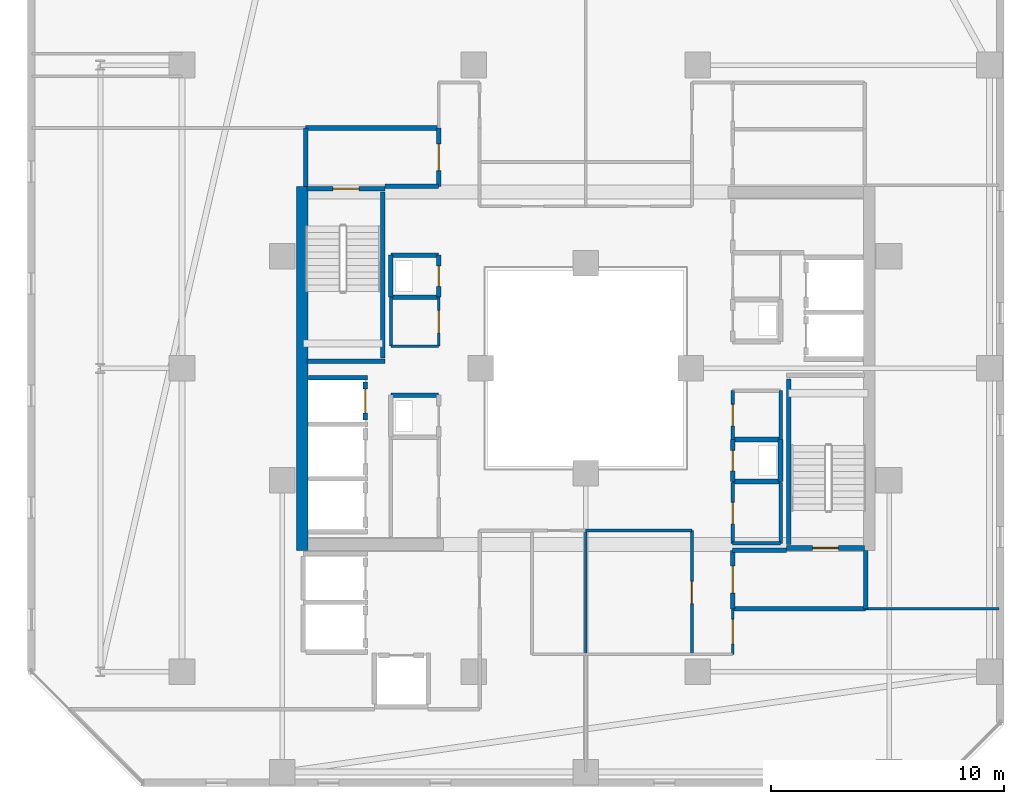
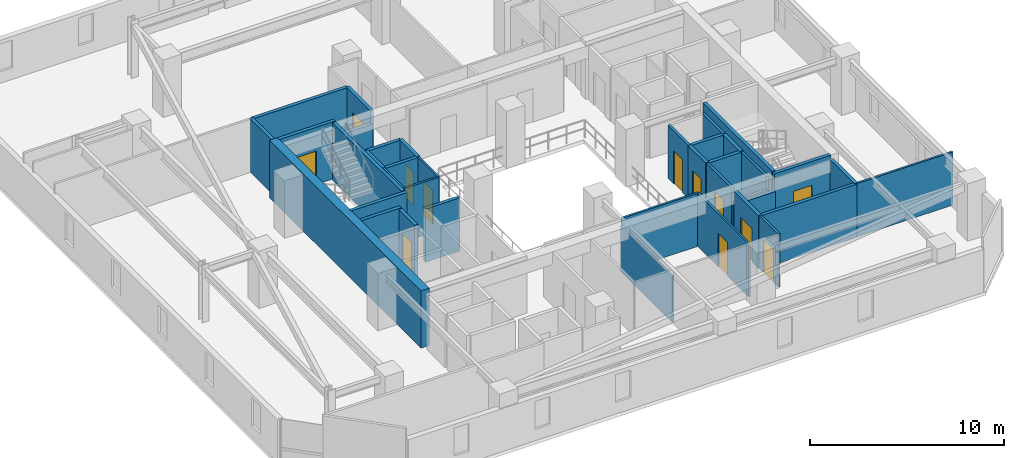
# One storey, part 24 of 33: 38 walls, 12 doors, 12 openings.
"""IFC4 building model written with IfcOpenShell, lengths in metres."""

import ifcopenshell
import ifcopenshell.guid

model = None  # the IFC model being written
_history = None  # IfcOwnerHistory: only IFC2X3 demands one
_inside = {}  # id of a spatial element -> (the spatial element, [elements in it])
_under = {}  # id of a project, library or spatial element -> (it, [spatial elements below it])
_declared = {}  # id of a project -> (the project, [libraries it declares])
_typed = {}  # id of a type object -> (the type object, [elements of that type])
_made_of = {}  # id of a material, layer set ... -> (it, [elements and type objects made of it])


def new_model(schema):
    """Start an empty IFC model of exactly this schema.

    Asked for "IFC4X3", IfcOpenShell would pick the latest addendum, in which some entities
    have other attributes; the version numbers below select the first issue.
    IFC2X3 requires an IfcOwnerHistory on every rooted entity: one is made here for all.
    """
    global model, _history
    if schema == "IFC4X3":
        model = ifcopenshell.file(schema_version=(4, 3, 0, 0))
    else:
        model = ifcopenshell.file(schema=schema)
    _inside.clear()
    _under.clear()
    _declared.clear()
    _typed.clear()
    _made_of.clear()
    _history = None
    if model.schema == "IFC2X3":
        org = make("IfcOrganization", Name="unknown")
        user = make(
            "IfcPersonAndOrganization",
            ThePerson=make("IfcPerson", FamilyName="unknown"),
            TheOrganization=org,
        )
        app = make(
            "IfcApplication",
            ApplicationDeveloper=org,
            Version="unknown",
            ApplicationFullName="unknown",
            ApplicationIdentifier="unknown",
        )
        _history = make(
            "IfcOwnerHistory",
            OwningUser=user,
            OwningApplication=app,
            ChangeAction="ADDED",
            CreationDate=0,
        )
    return model


def make(cls, **values):
    """One entity of the class cls with the attributes given. An attribute that is None is left unset."""
    return model.create_entity(
        cls, **{name: value for name, value in values.items() if value is not None}
    )


def rooted(cls, **values):
    """An entity with a GlobalId (a new one), such as an element, a storey or a relation."""
    return make(cls, GlobalId=ifcopenshell.guid.new(), OwnerHistory=_history, **values)


def si_unit(unit_type, name, prefix=None):
    """IfcSIUnit, for example si_unit("LENGTHUNIT", "METRE", prefix="MILLI")."""
    return make("IfcSIUnit", UnitType=unit_type, Prefix=prefix, Name=name)


def assignment(units):
    """IfcUnitAssignment: the units of a project."""
    return None if units is None else make("IfcUnitAssignment", Units=units)


def point(xyz):
    """IfcCartesianPoint."""
    return None if xyz is None else make("IfcCartesianPoint", Coordinates=xyz)


def direction(xyz):
    """IfcDirection."""
    return None if xyz is None else make("IfcDirection", DirectionRatios=xyz)


def frame(location, z_axis=None, x_axis=None):
    """IfcAxis2Placement3D, a coordinate frame: its origin and axes. An axis left out is left unset."""
    return make(
        "IfcAxis2Placement3D",
        Location=point(location),
        Axis=direction(z_axis),
        RefDirection=direction(x_axis),
    )


def frame_2d(location, x_axis=None):
    """IfcAxis2Placement2D, a coordinate frame in the plane: its origin and x axis."""
    return make(
        "IfcAxis2Placement2D", Location=point(location), RefDirection=direction(x_axis)
    )


def origin():
    """The frame at (0, 0, 0) with its axes left unset."""
    return frame((0.0, 0.0, 0.0))


def place(relative_to, where):
    """IfcLocalPlacement: puts the frame where relative to a parent placement (None: the world)."""
    return make(
        "IfcLocalPlacement", PlacementRelTo=relative_to, RelativePlacement=where
    )


def context(
    kind, dimensions, precision=None, world=None, true_north=None, identifier=None
):
    """IfcGeometricRepresentationContext, for example the 3D "Model" context."""
    return make(
        "IfcGeometricRepresentationContext",
        ContextIdentifier=identifier,
        ContextType=kind,
        CoordinateSpaceDimension=dimensions,
        Precision=precision,
        WorldCoordinateSystem=world,
        TrueNorth=true_north,
    )


def subcontext(parent, identifier, kind, view, scale=None):
    """IfcGeometricRepresentationSubContext, for example "Body" below "Model"."""
    return make(
        "IfcGeometricRepresentationSubContext",
        ContextIdentifier=identifier,
        ContextType=kind,
        ParentContext=parent,
        TargetScale=scale,
        TargetView=view,
    )


def project(units=None, contexts=None):
    """IfcProject with its units and contexts."""
    return rooted(
        "IfcProject",
        Name="project",
        RepresentationContexts=contexts,
        UnitsInContext=assignment(units),
    )


def spatial(cls, under=None, at=None, **own):
    """A site, building, storey or space (cls), placed at a placement, below another one or the project."""
    s = rooted(cls, ObjectPlacement=at, **own)
    if under is not None:
        _under.setdefault(under.id(), (under, []))[1].append(s)
    return s


def profile(cls, at=None, kind="AREA", **sizes):
    """A parametric profile (cls). Its sizes go by their IFC names, for example OverallWidth=200.0."""
    return make(cls, ProfileType=kind, Position=at, **sizes)


def rectangle(**sizes):
    """IfcRectangleProfileDef."""
    return profile("IfcRectangleProfileDef", **sizes)


def extrude(swept, where, along, depth):
    """IfcExtrudedAreaSolid: the profile swept, set in the frame where, extruded along a direction by depth."""
    return make(
        "IfcExtrudedAreaSolid",
        SweptArea=swept,
        Position=where,
        ExtrudedDirection=direction(along),
        Depth=depth,
    )


def shape(context_of_items, identifier, shape_type, items):
    """IfcShapeRepresentation: the items that make up one representation, for example the "Body"."""
    return make(
        "IfcShapeRepresentation",
        ContextOfItems=context_of_items,
        RepresentationIdentifier=identifier,
        RepresentationType=shape_type,
        Items=items,
    )


def material(Name=None, Category=None):
    """IfcMaterial."""
    return make("IfcMaterial", Name=Name, Category=Category)


def layer(
    of_material, thickness, ventilated=None, Name=None, Category=None, Priority=None
):
    """IfcMaterialLayer: one layer of a wall or slab, of a material (None: an air gap)."""
    return make(
        "IfcMaterialLayer",
        Material=of_material,
        LayerThickness=thickness,
        IsVentilated=ventilated,
        Name=Name,
        Category=Category,
        Priority=Priority,
    )


def layer_set(layers, Name=None):
    """IfcMaterialLayerSet."""
    return make("IfcMaterialLayerSet", MaterialLayers=layers, LayerSetName=Name)


def made_of(thing, what):
    """Note that an element or type object is made of a material, layer set ...; save() writes the relation."""
    if what is not None:
        _made_of.setdefault(what.id(), (what, []))[1].append(thing)
    return thing


def type_object(cls, material=None, **own):
    """A type object (cls), such as IfcWallType, which elements share."""
    return made_of(rooted(cls, **own), material)


def element(
    cls,
    number,
    at=None,
    inside=None,
    cuts=None,
    type_object=None,
    material=None,
    context=None,
    identifier="Body",
    shape_type=None,
    held_by="IfcProductDefinitionShape",
    body=None,
    shapes=None,
    **own,
):
    """One element of the class cls, such as IfcWall. Its Tag is "e" and its number.

    at: its placement. inside: the storey or other place that contains it. cuts: it is an
    opening in that element (IfcRelVoidsElement). A single representation is given by context,
    identifier, shape_type and body (its items); several are given by shapes. held_by: the class
    of the entity that holds the representations. save() writes the other relations.
    """
    e = rooted(cls, Tag="e%d" % number, ObjectPlacement=at, **own)
    if body is not None:
        shapes = [shape(context, identifier, shape_type, body)]
    if shapes is not None:
        e.Representation = make(held_by, Representations=shapes)
    if inside is not None:
        _inside.setdefault(inside.id(), (inside, []))[1].append(e)
    if cuts is not None:
        rooted(
            "IfcRelVoidsElement", RelatingBuildingElement=cuts, RelatedOpeningElement=e
        )
    if type_object is not None:
        _typed.setdefault(type_object.id(), (type_object, []))[1].append(e)
    return made_of(e, material)


def fill(opening, filler):
    """IfcRelFillsElement: the door or window that sits in an opening."""
    return rooted(
        "IfcRelFillsElement",
        RelatingOpeningElement=opening,
        RelatedBuildingElement=filler,
    )


def aggregate(whole, parts):
    """IfcRelAggregates: a whole, such as a stair, and the parts it consists of."""
    return rooted("IfcRelAggregates", RelatingObject=whole, RelatedObjects=parts)


def save(model, path):
    """Write the relations noted so far, then the file.

    IfcRelAggregates (storeys below a building ...), IfcRelContainedInSpatialStructure (elements
    in a storey), IfcRelDefinesByType, IfcRelAssociatesMaterial and IfcRelDeclares: one each for
    every whole, place, type object, material and project.
    """
    for whole, parts in _under.values():
        aggregate(whole, parts)
    for where, things in _inside.values():
        rooted(
            "IfcRelContainedInSpatialStructure",
            RelatedElements=things,
            RelatingStructure=where,
        )
    for kind, things in _typed.values():
        rooted("IfcRelDefinesByType", RelatedObjects=things, RelatingType=kind)
    for what, things in _made_of.values():
        rooted("IfcRelAssociatesMaterial", RelatedObjects=things, RelatingMaterial=what)
    for by, libraries in _declared.values():
        rooted("IfcRelDeclares", RelatingContext=by, RelatedDefinitions=libraries)
    model.write(path)


model = new_model("IFC4")

# Units and contexts
model_context = context("Model", 3, precision=1e-05, world=origin(), true_north=direction((0.0, 1.0)))
body_context = subcontext(model_context, "Body", "Model", "MODEL_VIEW")
ifc_project = project(units=[si_unit("LENGTHUNIT", "METRE"), si_unit("AREAUNIT", "SQUARE_METRE"), si_unit("VOLUMEUNIT", "CUBIC_METRE"), si_unit("PLANEANGLEUNIT", "RADIAN"), si_unit("MASSUNIT", "GRAM", prefix="KILO")], contexts=[model_context])

# Site, building, storey
site_placement = place(None, origin())
site = spatial("IfcSite", under=ifc_project, at=site_placement, CompositionType="ELEMENT")
building_placement = place(site_placement, origin())
building = spatial("IfcBuilding", under=site, at=building_placement, Name="Thornwick Lancets Civic Towers", CompositionType="ELEMENT")
storey_placement = place(building_placement, frame((0.0, 0.0, 192.89990234375)))
storey = spatial("IfcBuildingStorey", under=building, at=storey_placement, Name="L51", CompositionType="ELEMENT", Elevation=192.89990234375)

# Wall, opening, door
ifc_material_1 = material(Name="Concrete blockwork C40/50", Category="masonry")
ifc_layer_1 = layer(ifc_material_1, 0.199951171875, Name="Concrete blockwork C40/50")
ifc_layer_set_1 = layer_set([ifc_layer_1], Name="Concrete blockwork C40/50")
wall_type_1 = type_object("IfcWallType", Name="WALL_COMP_200", PredefinedType="STANDARD", material=ifc_layer_set_1)
wall_1_placement = place(storey_placement, frame((79.050048828125, 24.780029296875, 0.0), z_axis=(0.0, 0.0, 1.0), x_axis=(0.0, 1.0, 0.0)))
wall_1 = element("IfcWall", 1, at=wall_1_placement, inside=storey, type_object=wall_type_1, Name="L51 Hoistway Front Wall FL-B2", PredefinedType="STANDARD", context=body_context, shape_type="SweptSolid", body=[
    extrude(rectangle(XDim=1.639892578125, YDim=0.199951171875, at=frame_2d((0.81982421875, 0.0))), origin(), (0.0, 0.0, 1.0), 3.340087890625),
])
opening_1_placement = place(wall_1_placement, frame((0.31005859375, 0.0, 0.0)))
opening_1 = element("IfcOpeningElement", 2, at=opening_1_placement, cuts=wall_1, Name="Opening LD-FL-B2", PredefinedType="OPENING", context=body_context, shape_type="SweptSolid", body=[
    extrude(rectangle(XDim=1.02001953125, YDim=2.06005859375, at=frame_2d((0.510009765625, 1.030029296875))), frame((0.0, 0.10986328125, 0.0), z_axis=(0.0, -1.0, 0.0), x_axis=(1.0, 0.0, 0.0)), (0.0, 0.0, 1.0), 0.219970703125),
])
ifc_material_2 = material(Name="Brushed bronze stainless steel", Category="steel")
door_type_1 = type_object("IfcDoorType", Name="DOOR_LIFT_SLIDE", OperationType="SLIDING_TO_LEFT", PredefinedType="DOOR", material=ifc_material_2)
door_1_placement = place(opening_1_placement, origin())
door_1 = element("IfcDoor", 3, at=door_1_placement, inside=storey, type_object=door_type_1, Name="L51 Sliding Lift Landing Door LD-FL-B2", OperationType="SLIDING_TO_LEFT", OverallHeight=2.06005859375, OverallWidth=1.02001953125, PredefinedType="DOOR", context=body_context, shape_type="SweptSolid", body=[
    extrude(rectangle(XDim=1.02001953125, YDim=2.06005859375, at=frame_2d((0.510009765625, 1.030029296875))), frame((0.0, 0.02490234375, 0.0), z_axis=(0.0, -1.0, 0.0), x_axis=(1.0, 0.0, 0.0)), (0.0, 0.0, 1.0), 0.050048828125),
])
fill(opening_1, door_1)

# Walls
wall_2_placement = place(storey_placement, frame((76.612060546875, 26.60009765625, 0.0), z_axis=(0.0, 0.0, 1.0), x_axis=(1.0, 0.0, 0.0)))
element("IfcWall", 4, at=wall_2_placement, inside=storey, type_object=wall_type_1, Name="L51 Hoistway Shaft Wall FL-B2 N", PredefinedType="STANDARD", context=body_context, shape_type="SweptSolid", body=[
    extrude(rectangle(XDim=2.535888671875, YDim=0.199951171875, at=frame_2d((1.26806640625, 0.0))), origin(), (0.0, 0.0, 1.0), 3.340087890625),
])
wall_3_placement = place(storey_placement, frame((94.800048828125, 16.699951171875, 0.0), z_axis=(0.0, 0.0, 1.0), x_axis=(1.0, 0.0, 0.0)))
element("IfcWall", 5, at=wall_3_placement, inside=storey, type_object=wall_type_1, Name="L51 Partition L51-B-FFLOB1 E1", PredefinedType="STANDARD", context=body_context, shape_type="SweptSolid", body=[
    extrude(rectangle(XDim=5.699951171875, YDim=0.199951171875, at=frame_2d((2.85009765625, 0.0))), origin(), (0.0, 0.0, 1.0), 3.340087890625),
])
wall_4_placement = place(storey_placement, frame((100.5, 16.699951171875, 0.0), z_axis=(0.0, 0.0, 1.0), x_axis=(0.0, 1.0, 0.0)))
element("IfcWall", 6, at=wall_4_placement, inside=storey, type_object=wall_type_1, Name="L51 Partition L51-B-FFLOB1 E2", PredefinedType="STANDARD", context=body_context, shape_type="SweptSolid", body=[
    extrude(rectangle(XDim=2.5, YDim=0.199951171875, at=frame_2d((1.25, 0.0))), origin(), (0.0, 0.0, 1.0), 3.340087890625),
])
wall_5_placement = place(storey_placement, frame((97.10009765625, 19.199951171875, 0.0), z_axis=(0.0, 0.0, 1.0), x_axis=(-1.0, 0.0, 0.0)))
element("IfcWall", 7, at=wall_5_placement, inside=storey, type_object=wall_type_1, Name="L51 Partition L51-B-FFLOB1 E3", PredefinedType="STANDARD", context=body_context, shape_type="SweptSolid", body=[
    extrude(rectangle(XDim=2.300048828125, YDim=0.199951171875, at=frame_2d((1.14990234375, 0.0))), origin(), (0.0, 0.0, 1.0), 2.545166015625),
])

# Wall, opening, door
wall_6_placement = place(storey_placement, frame((94.800048828125, 19.199951171875, 0.0), z_axis=(0.0, 0.0, 1.0), x_axis=(0.0, -1.0, 0.0)))
wall_6 = element("IfcWall", 8, at=wall_6_placement, inside=storey, type_object=wall_type_1, Name="L51 Partition L51-B-FFLOB1 E4", PredefinedType="STANDARD", context=body_context, shape_type="SweptSolid", body=[
    extrude(rectangle(XDim=2.5, YDim=0.199951171875, at=frame_2d((1.25, 0.0))), origin(), (0.0, 0.0, 1.0), 3.340087890625),
])
opening_2_placement = place(wall_6_placement, frame((0.675048828125, 0.0, 0.0)))
opening_2 = element("IfcOpeningElement", 9, at=opening_2_placement, cuts=wall_6, Name="Opening D-L51-2263", PredefinedType="OPENING", context=body_context, shape_type="SweptSolid", body=[
    extrude(rectangle(XDim=1.14990234375, YDim=2.10009765625, at=frame_2d((0.574951171875, 1.050048828125))), frame((0.0, 0.10986328125, 0.0), z_axis=(0.0, -1.0, 0.0), x_axis=(1.0, 0.0, 0.0)), (0.0, 0.0, 1.0), 0.219970703125),
])
ifc_material_3 = material(Name="Glazed fire-resisting steel", Category="steel")
door_type_2 = type_object("IfcDoorType", Name="DOOR_LOBBY_FD60", OperationType="NOTDEFINED", PredefinedType="DOOR", material=ifc_material_3)
door_2_placement = place(opening_2_placement, origin())
door_2 = element("IfcDoor", 10, at=door_2_placement, inside=storey, type_object=door_type_2, Name="L51 East Firefighting Lobby 1 Door", OperationType="SINGLE_SWING_RIGHT", OverallHeight=2.10009765625, OverallWidth=1.14990234375, PredefinedType="DOOR", context=body_context, shape_type="SweptSolid", body=[
    extrude(rectangle(XDim=1.14990234375, YDim=2.10009765625, at=frame_2d((0.574951171875, 1.050048828125))), frame((0.0, 0.02490234375, 0.0), z_axis=(0.0, -1.0, 0.0), x_axis=(1.0, 0.0, 0.0)), (0.0, 0.0, 1.0), 0.050048828125),
])
fill(opening_2, door_2)

# Wall
wall_7_placement = place(storey_placement, frame((79.89990234375, 34.800048828125, 0.0), z_axis=(0.0, 0.0, 1.0), x_axis=(1.0, 0.0, 0.0)))
element("IfcWall", 11, at=wall_7_placement, inside=storey, type_object=wall_type_1, Name="L51 Partition L51-B-FFLOB2 E1", PredefinedType="STANDARD", context=body_context, shape_type="SweptSolid", body=[
    extrude(rectangle(XDim=2.300048828125, YDim=0.199951171875, at=frame_2d((1.14990234375, 0.0))), origin(), (0.0, 0.0, 1.0), 2.545166015625),
])

# Wall, opening, door
wall_8_placement = place(storey_placement, frame((82.199951171875, 34.800048828125, 0.0), z_axis=(0.0, 0.0, 1.0), x_axis=(0.0, 1.0, 0.0)))
wall_8 = element("IfcWall", 12, at=wall_8_placement, inside=storey, type_object=wall_type_1, Name="L51 Partition L51-B-FFLOB2 E2", PredefinedType="STANDARD", context=body_context, shape_type="SweptSolid", body=[
    extrude(rectangle(XDim=2.5, YDim=0.199951171875, at=frame_2d((1.25, 0.0))), origin(), (0.0, 0.0, 1.0), 3.340087890625),
])
opening_3_placement = place(wall_8_placement, frame((0.675048828125, 0.0, 0.0)))
opening_3 = element("IfcOpeningElement", 13, at=opening_3_placement, cuts=wall_8, Name="Opening D-L51-2264", PredefinedType="OPENING", context=body_context, shape_type="SweptSolid", body=[
    extrude(rectangle(XDim=1.14990234375, YDim=2.10009765625, at=frame_2d((0.574951171875, 1.050048828125))), frame((0.0, 0.10986328125, 0.0), z_axis=(0.0, -1.0, 0.0), x_axis=(1.0, 0.0, 0.0)), (0.0, 0.0, 1.0), 0.219970703125),
])
door_3_placement = place(opening_3_placement, origin())
door_3 = element("IfcDoor", 14, at=door_3_placement, inside=storey, type_object=door_type_2, Name="L51 West Firefighting Lobby 2 Door", OperationType="SINGLE_SWING_LEFT", OverallHeight=2.10009765625, OverallWidth=1.14990234375, PredefinedType="DOOR", context=body_context, shape_type="SweptSolid", body=[
    extrude(rectangle(XDim=1.14990234375, YDim=2.10009765625, at=frame_2d((0.574951171875, 1.050048828125))), frame((0.0, 0.02490234375, 0.0), z_axis=(0.0, -1.0, 0.0), x_axis=(1.0, 0.0, 0.0)), (0.0, 0.0, 1.0), 0.050048828125),
])
fill(opening_3, door_3)

# Walls
wall_9_placement = place(storey_placement, frame((82.199951171875, 37.300048828125, 0.0), z_axis=(0.0, 0.0, 1.0), x_axis=(-1.0, 0.0, 0.0)))
element("IfcWall", 15, at=wall_9_placement, inside=storey, type_object=wall_type_1, Name="L51 Partition L51-B-FFLOB2 E3", PredefinedType="STANDARD", context=body_context, shape_type="SweptSolid", body=[
    extrude(rectangle(XDim=5.699951171875, YDim=0.199951171875, at=frame_2d((2.85009765625, 0.0))), origin(), (0.0, 0.0, 1.0), 3.340087890625),
])
wall_10_placement = place(storey_placement, frame((76.5, 37.300048828125, 0.0), z_axis=(0.0, 0.0, 1.0), x_axis=(0.0, -1.0, 0.0)))
element("IfcWall", 16, at=wall_10_placement, inside=storey, type_object=wall_type_1, Name="L51 Partition L51-B-FFLOB2 E4", PredefinedType="STANDARD", context=body_context, shape_type="SweptSolid", body=[
    extrude(rectangle(XDim=2.5, YDim=0.199951171875, at=frame_2d((1.25, 0.0))), origin(), (0.0, 0.0, 1.0), 3.340087890625),
])
wall_11_placement = place(storey_placement, frame((94.800048828125, 22.14990234375, 0.0), z_axis=(0.0, 0.0, 1.0), x_axis=(1.0, 0.0, 0.0)))
element("IfcWall", 17, at=wall_11_placement, inside=storey, type_object=wall_type_1, Name="L51 Partition L51-B-RISER1 E1", PredefinedType="STANDARD", context=body_context, shape_type="SweptSolid", body=[
    extrude(rectangle(XDim=2.050048828125, YDim=0.199951171875, at=frame_2d((1.02490234375, 0.0))), origin(), (0.0, 0.0, 1.0), 3.340087890625),
])
wall_12_placement = place(storey_placement, frame((96.85009765625, 22.14990234375, 0.0), z_axis=(0.0, 0.0, 1.0), x_axis=(0.0, 1.0, 0.0)))
element("IfcWall", 18, at=wall_12_placement, inside=storey, type_object=wall_type_1, Name="L51 Partition L51-B-RISER1 E2", PredefinedType="STANDARD", context=body_context, shape_type="SweptSolid", body=[
    extrude(rectangle(XDim=1.800048828125, YDim=0.199951171875, at=frame_2d((0.89990234375, 0.0))), origin(), (0.0, 0.0, 1.0), 3.340087890625),
])
wall_13_placement = place(storey_placement, frame((96.85009765625, 23.949951171875, 0.0), z_axis=(0.0, 0.0, 1.0), x_axis=(-1.0, 0.0, 0.0)))
element("IfcWall", 19, at=wall_13_placement, inside=storey, type_object=wall_type_1, Name="L51 Partition L51-B-RISER1 E3", PredefinedType="STANDARD", context=body_context, shape_type="SweptSolid", body=[
    extrude(rectangle(XDim=2.050048828125, YDim=0.199951171875, at=frame_2d((1.02490234375, 0.0))), origin(), (0.0, 0.0, 1.0), 3.340087890625),
])

# Wall, opening, door
wall_14_placement = place(storey_placement, frame((94.800048828125, 23.949951171875, 0.0), z_axis=(0.0, 0.0, 1.0), x_axis=(0.0, -1.0, 0.0)))
wall_14 = element("IfcWall", 20, at=wall_14_placement, inside=storey, type_object=wall_type_1, Name="L51 Partition L51-B-RISER1 E4", PredefinedType="STANDARD", context=body_context, shape_type="SweptSolid", body=[
    extrude(rectangle(XDim=1.800048828125, YDim=0.199951171875, at=frame_2d((0.89990234375, 0.0))), origin(), (0.0, 0.0, 1.0), 3.340087890625),
])
opening_4_placement = place(wall_14_placement, frame((0.4599609375, 0.0, 0.0)))
opening_4 = element("IfcOpeningElement", 21, at=opening_4_placement, cuts=wall_14, Name="Opening D-L51-2266", PredefinedType="OPENING", context=body_context, shape_type="SweptSolid", body=[
    extrude(rectangle(XDim=0.8798828125, YDim=2.0400390625, at=frame_2d((0.43994140625, 1.02001953125))), frame((0.0, 0.10986328125, 0.0), z_axis=(0.0, -1.0, 0.0), x_axis=(1.0, 0.0, 0.0)), (0.0, 0.0, 1.0), 0.219970703125),
])
ifc_material_4 = material(Name="Steel riser access doorset", Category="steel")
door_type_3 = type_object("IfcDoorType", Name="DOOR_RISER_850", OperationType="NOTDEFINED", PredefinedType="DOOR", material=ifc_material_4)
door_4_placement = place(opening_4_placement, origin())
door_4 = element("IfcDoor", 22, at=door_4_placement, inside=storey, type_object=door_type_3, Name="L51 East Electrical Riser 1 Door", OperationType="SINGLE_SWING_LEFT", OverallHeight=2.0400390625, OverallWidth=0.8798828125, PredefinedType="DOOR", context=body_context, shape_type="SweptSolid", body=[
    extrude(rectangle(XDim=0.8798828125, YDim=2.0400390625, at=frame_2d((0.43994140625, 1.02001953125))), frame((0.0, 0.02490234375, 0.0), z_axis=(0.0, -1.0, 0.0), x_axis=(1.0, 0.0, 0.0)), (0.0, 0.0, 1.0), 0.050048828125),
])
fill(opening_4, door_4)

# Walls
for number, where, z_axis, x_axis, name in (
    (23, (82.199951171875, 25.85009765625, 0.0), (0.0, 0.0, 1.0), (-1.0, 0.0, 0.0), "L51 Partition L51-B-DUCT2 E3"),
    (24, (80.14990234375, 30.050048828125, 0.0), (0.0, 0.0, 1.0), (1.0, 0.0, 0.0), "L51 Partition L51-B-RISER2 E1"),
):
    element("IfcWall", number, at=place(storey_placement, frame(where, z_axis=z_axis, x_axis=x_axis)), inside=storey, type_object=wall_type_1, Name=name, PredefinedType="STANDARD", context=body_context, shape_type="SweptSolid", body=[
        extrude(rectangle(XDim=2.050048828125, YDim=0.199951171875, at=frame_2d((1.02490234375, 0.0))), origin(), (0.0, 0.0, 1.0), 3.340087890625),
    ])

# Wall, opening, door
wall_15_placement = place(storey_placement, frame((82.199951171875, 30.050048828125, 0.0), z_axis=(0.0, 0.0, 1.0), x_axis=(0.0, 1.0, 0.0)))
wall_15 = element("IfcWall", 25, at=wall_15_placement, inside=storey, type_object=wall_type_1, Name="L51 Partition L51-B-RISER2 E2", PredefinedType="STANDARD", context=body_context, shape_type="SweptSolid", body=[
    extrude(rectangle(XDim=1.800048828125, YDim=0.199951171875, at=frame_2d((0.89990234375, 0.0))), origin(), (0.0, 0.0, 1.0), 3.340087890625),
])
opening_5_placement = place(wall_15_placement, frame((0.4599609375, 0.0, 0.0)))
opening_5 = element("IfcOpeningElement", 26, at=opening_5_placement, cuts=wall_15, Name="Opening D-L51-2268", PredefinedType="OPENING", context=body_context, shape_type="SweptSolid", body=[
    extrude(rectangle(XDim=0.8798828125, YDim=2.0400390625, at=frame_2d((0.43994140625, 1.02001953125))), frame((0.0, 0.10986328125, 0.0), z_axis=(0.0, -1.0, 0.0), x_axis=(1.0, 0.0, 0.0)), (0.0, 0.0, 1.0), 0.219970703125),
])
door_5_placement = place(opening_5_placement, origin())
door_5 = element("IfcDoor", 27, at=door_5_placement, inside=storey, type_object=door_type_3, Name="L51 West Service Riser 2 Door", OperationType="SINGLE_SWING_LEFT", OverallHeight=2.0400390625, OverallWidth=0.8798828125, PredefinedType="DOOR", context=body_context, shape_type="SweptSolid", body=[
    extrude(rectangle(XDim=0.8798828125, YDim=2.0400390625, at=frame_2d((0.43994140625, 1.02001953125))), frame((0.0, 0.02490234375, 0.0), z_axis=(0.0, -1.0, 0.0), x_axis=(1.0, 0.0, 0.0)), (0.0, 0.0, 1.0), 0.050048828125),
])
fill(opening_5, door_5)

# Walls
wall_16_placement = place(storey_placement, frame((82.199951171875, 31.85009765625, 0.0), z_axis=(0.0, 0.0, 1.0), x_axis=(-1.0, 0.0, 0.0)))
element("IfcWall", 28, at=wall_16_placement, inside=storey, type_object=wall_type_1, Name="L51 Partition L51-B-RISER2 E3", PredefinedType="STANDARD", context=body_context, shape_type="SweptSolid", body=[
    extrude(rectangle(XDim=2.050048828125, YDim=0.199951171875, at=frame_2d((1.02490234375, 0.0))), origin(), (0.0, 0.0, 1.0), 3.340087890625),
])
wall_17_placement = place(storey_placement, frame((80.14990234375, 31.85009765625, 0.0), z_axis=(0.0, 0.0, 1.0), x_axis=(0.0, -1.0, 0.0)))
element("IfcWall", 29, at=wall_17_placement, inside=storey, type_object=wall_type_1, Name="L51 Partition L51-B-RISER2 E4", PredefinedType="STANDARD", context=body_context, shape_type="SweptSolid", body=[
    extrude(rectangle(XDim=1.800048828125, YDim=0.199951171875, at=frame_2d((0.89990234375, 0.0))), origin(), (0.0, 0.0, 1.0), 3.340087890625),
])
ifc_material_5 = material(Name="Concrete C50/60", Category="concrete")
ifc_layer_2 = layer(ifc_material_5, 0.5, Name="Concrete C50/60")
ifc_layer_set_2 = layer_set([ifc_layer_2], Name="Concrete C50/60")
wall_type_2 = type_object("IfcWallType", Name="WALL_CORE_500", PredefinedType="SHEAR", material=ifc_layer_set_2)
wall_18_placement = place(storey_placement, frame((76.35009765625, 19.199951171875, 0.0), z_axis=(0.0, 0.0, 1.0), x_axis=(0.0, 1.0, 0.0)))
element("IfcWall", 30, at=wall_18_placement, inside=storey, type_object=wall_type_2, Name="L51 Split Core B2 Shear Wall W", PredefinedType="SHEAR", context=body_context, shape_type="SweptSolid", body=[
    extrude(rectangle(XDim=15.60009765625, YDim=0.5, at=frame_2d((7.800048828125, 0.0))), origin(), (0.0, 0.0, 1.0), 3.60009765625),
])
ifc_material_6 = material(Name="Acoustic gypsum board partition")
ifc_layer_3 = layer(ifc_material_6, 0.1201171875, Name="Acoustic gypsum board partition")
ifc_layer_set_3 = layer_set([ifc_layer_3], Name="Acoustic gypsum board partition")
wall_type_3 = type_object("IfcWallType", Name="WALL_PART_120", PredefinedType="PARTITIONING", material=ifc_layer_set_3)
wall_19_placement = place(storey_placement, frame((82.199951171875, 27.949951171875, 0.0), z_axis=(0.0, 0.0, 1.0), x_axis=(-1.0, 0.0, 0.0)))
element("IfcWall", 31, at=wall_19_placement, inside=storey, type_object=wall_type_3, Name="L51 Partition L51-B-ITR E1", PredefinedType="PARTITIONING", context=body_context, shape_type="SweptSolid", body=[
    extrude(rectangle(XDim=2.050048828125, YDim=0.1201171875, at=frame_2d((1.02490234375, 0.0))), origin(), (0.0, 0.0, 1.0), 3.340087890625),
])
wall_20_placement = place(storey_placement, frame((80.14990234375, 27.949951171875, 0.0), z_axis=(0.0, 0.0, 1.0), x_axis=(0.0, 1.0, 0.0)))
element("IfcWall", 32, at=wall_20_placement, inside=storey, type_object=wall_type_3, Name="L51 Partition L51-B-ITR E2", PredefinedType="PARTITIONING", context=body_context, shape_type="SweptSolid", body=[
    extrude(rectangle(XDim=2.10009765625, YDim=0.1201171875, at=frame_2d((1.050048828125, 0.0))), origin(), (0.0, 0.0, 1.0), 3.340087890625),
])

# Wall, opening, door
wall_21_placement = place(storey_placement, frame((82.199951171875, 30.050048828125, 0.0), z_axis=(0.0, 0.0, 1.0), x_axis=(0.0, -1.0, 0.0)))
wall_21 = element("IfcWall", 33, at=wall_21_placement, inside=storey, type_object=wall_type_3, Name="L51 Partition L51-B-ITR E4", PredefinedType="PARTITIONING", context=body_context, shape_type="SweptSolid", body=[
    extrude(rectangle(XDim=2.10009765625, YDim=0.1201171875, at=frame_2d((1.050048828125, 0.0))), origin(), (0.0, 0.0, 1.0), 3.340087890625),
])
opening_6_placement = place(wall_21_placement, frame((0.574951171875, 0.0, 0.0)))
opening_6 = element("IfcOpeningElement", 34, at=opening_6_placement, cuts=wall_21, Name="Opening D-L51-2274", PredefinedType="OPENING", context=body_context, shape_type="SweptSolid", body=[
    extrude(rectangle(XDim=0.949951171875, YDim=2.10009765625, at=frame_2d((0.47509765625, 1.050048828125))), frame((0.0, 0.070068359375, 0.0), z_axis=(0.0, -1.0, 0.0), x_axis=(1.0, 0.0, 0.0)), (0.0, 0.0, 1.0), 0.14013671875),
])
ifc_material_7 = material(Name="European oak acoustic doorset")
door_type_4 = type_object("IfcDoorType", Name="DOOR_OFFICE_950", OperationType="NOTDEFINED", PredefinedType="DOOR", material=ifc_material_7)
door_6_placement = place(opening_6_placement, origin())
door_6 = element("IfcDoor", 35, at=door_6_placement, inside=storey, type_object=door_type_4, Name="L51 Tower B Comms Patch Room Door", OperationType="SINGLE_SWING_LEFT", OverallHeight=2.10009765625, OverallWidth=0.949951171875, PredefinedType="DOOR", context=body_context, shape_type="SweptSolid", body=[
    extrude(rectangle(XDim=0.949951171875, YDim=2.10009765625, at=frame_2d((0.47509765625, 1.050048828125))), frame((0.0, 0.02490234375, 0.0), z_axis=(0.0, -1.0, 0.0), x_axis=(1.0, 0.0, 0.0)), (0.0, 0.0, 1.0), 0.050048828125),
])
fill(opening_6, door_6)

wall_22_placement = place(storey_placement, frame((94.800048828125, 14.75, 0.0), z_axis=(0.0, 0.0, 1.0), x_axis=(0.0, 1.0, 0.0)))
wall_22 = element("IfcWall", 36, at=wall_22_placement, inside=storey, type_object=wall_type_3, Name="L51 Partition L51-B-W1 E11", PredefinedType="PARTITIONING", context=body_context, shape_type="SweptSolid", body=[
    extrude(rectangle(XDim=1.949951171875, YDim=0.1201171875, at=frame_2d((0.97509765625, 0.0))), origin(), (0.0, 0.0, 1.0), 3.340087890625),
])
opening_7_placement = place(wall_22_placement, frame((0.449951171875, 0.0, 0.0)))
opening_7 = element("IfcOpeningElement", 37, at=opening_7_placement, cuts=wall_22, Name="Opening D-L51-2287", PredefinedType="OPENING", context=body_context, shape_type="SweptSolid", body=[
    extrude(rectangle(XDim=1.050048828125, YDim=2.10009765625, at=frame_2d((0.52490234375, 1.050048828125))), frame((0.0, 0.070068359375, 0.0), z_axis=(0.0, -1.0, 0.0), x_axis=(1.0, 0.0, 0.0)), (0.0, 0.0, 1.0), 0.14013671875),
])
ifc_material_8 = material(Name="Glazed European oak executive doorset")
door_type_5 = type_object("IfcDoorType", Name="DOOR_OFFICE_1050", OperationType="NOTDEFINED", PredefinedType="DOOR", material=ifc_material_8)
door_7_placement = place(opening_7_placement, origin())
door_7 = element("IfcDoor", 38, at=door_7_placement, inside=storey, type_object=door_type_5, Name="L51 Tower B Ministry Directorate Office W1 Door", OperationType="SINGLE_SWING_RIGHT", OverallHeight=2.10009765625, OverallWidth=1.050048828125, PredefinedType="DOOR", context=body_context, shape_type="SweptSolid", body=[
    extrude(rectangle(XDim=1.050048828125, YDim=2.10009765625, at=frame_2d((0.52490234375, 1.050048828125))), frame((0.0, 0.02490234375, 0.0), z_axis=(0.0, -1.0, 0.0), x_axis=(1.0, 0.0, 0.0)), (0.0, 0.0, 1.0), 0.050048828125),
])
fill(opening_7, door_7)

# Walls
wall_23_placement = place(storey_placement, frame((100.5, 16.699951171875, 0.0), z_axis=(0.0, 0.0, 1.0), x_axis=(1.0, 0.0, 0.0)))
element("IfcWall", 39, at=wall_23_placement, inside=storey, type_object=wall_type_3, Name="L51 Partition L51-B-W1 E13", PredefinedType="PARTITIONING", context=body_context, shape_type="SweptSolid", body=[
    extrude(rectangle(XDim=5.719970703125, YDim=0.1201171875, at=frame_2d((2.85986328125, 0.0))), origin(), (0.0, 0.0, 1.0), 3.340087890625),
])
wall_24_placement = place(storey_placement, frame((88.5, 14.75, 0.0), z_axis=(0.0, 0.0, 1.0), x_axis=(0.0, 1.0, 0.0)))
element("IfcWall", 40, at=wall_24_placement, inside=storey, type_object=wall_type_3, Name="L51 Partition L51-B-W2 E1", PredefinedType="PARTITIONING", context=body_context, shape_type="SweptSolid", body=[
    extrude(rectangle(XDim=5.300048828125, YDim=0.1201171875, at=frame_2d((2.64990234375, 0.0))), origin(), (0.0, 0.0, 1.0), 2.881591796875),
])
wall_25_placement = place(storey_placement, frame((88.5, 20.050048828125, 0.0), z_axis=(0.0, 0.0, 1.0), x_axis=(1.0, 0.0, 0.0)))
element("IfcWall", 41, at=wall_25_placement, inside=storey, type_object=wall_type_3, Name="L51 Partition L51-B-W2 E2", PredefinedType="PARTITIONING", context=body_context, shape_type="SweptSolid", body=[
    extrude(rectangle(XDim=4.550048828125, YDim=0.1201171875, at=frame_2d((2.27490234375, 0.0))), origin(), (0.0, 0.0, 1.0), 3.340087890625),
])

# Wall, opening, door
wall_26_placement = place(storey_placement, frame((93.050048828125, 20.050048828125, 0.0), z_axis=(0.0, 0.0, 1.0), x_axis=(0.0, -1.0, 0.0)))
wall_26 = element("IfcWall", 42, at=wall_26_placement, inside=storey, type_object=wall_type_3, Name="L51 Partition L51-B-W2 E3", PredefinedType="PARTITIONING", context=body_context, shape_type="SweptSolid", body=[
    extrude(rectangle(XDim=5.300048828125, YDim=0.1201171875, at=frame_2d((2.64990234375, 0.0))), origin(), (0.0, 0.0, 1.0), 3.340087890625),
])
opening_8_placement = place(wall_26_placement, frame((2.175048828125, 0.0, 0.0)))
opening_8 = element("IfcOpeningElement", 43, at=opening_8_placement, cuts=wall_26, Name="Opening D-L51-2288", PredefinedType="OPENING", context=body_context, shape_type="SweptSolid", body=[
    extrude(rectangle(XDim=0.949951171875, YDim=2.10009765625, at=frame_2d((0.47509765625, 1.050048828125))), frame((0.0, 0.070068359375, 0.0), z_axis=(0.0, -1.0, 0.0), x_axis=(1.0, 0.0, 0.0)), (0.0, 0.0, 1.0), 0.14013671875),
])
door_8_placement = place(opening_8_placement, origin())
door_8 = element("IfcDoor", 44, at=door_8_placement, inside=storey, type_object=door_type_4, Name="L51 Tower B Statutory Research Suite Door", OperationType="SINGLE_SWING_LEFT", OverallHeight=2.10009765625, OverallWidth=0.949951171875, PredefinedType="DOOR", context=body_context, shape_type="SweptSolid", body=[
    extrude(rectangle(XDim=0.949951171875, YDim=2.10009765625, at=frame_2d((0.47509765625, 1.050048828125))), frame((0.0, 0.02490234375, 0.0), z_axis=(0.0, -1.0, 0.0), x_axis=(1.0, 0.0, 0.0)), (0.0, 0.0, 1.0), 0.050048828125),
])
fill(opening_8, door_8)

# Walls
ifc_material_9 = material(Name="Twin-stud acoustic gypsum board")
ifc_layer_4 = layer(ifc_material_9, 0.14990234375, Name="Twin-stud acoustic gypsum board")
ifc_layer_set_4 = layer_set([ifc_layer_4], Name="Twin-stud acoustic gypsum board")
wall_type_4 = type_object("IfcWallType", Name="WALL_PART_150", PredefinedType="PARTITIONING", material=ifc_layer_set_4)
wall_27_placement = place(storey_placement, frame((94.800048828125, 19.5, 0.0), z_axis=(0.0, 0.0, 1.0), x_axis=(1.0, 0.0, 0.0)))
element("IfcWall", 45, at=wall_27_placement, inside=storey, type_object=wall_type_4, Name="L51 Partition L51-B-MWC E1", PredefinedType="PARTITIONING", context=body_context, shape_type="SweptSolid", body=[
    extrude(rectangle(XDim=2.050048828125, YDim=0.14990234375, at=frame_2d((1.02490234375, 0.0))), origin(), (0.0, 0.0, 1.0), 2.545166015625),
])
wall_28_placement = place(storey_placement, frame((96.85009765625, 19.5, 0.0), z_axis=(0.0, 0.0, 1.0), x_axis=(0.0, 1.0, 0.0)))
element("IfcWall", 46, at=wall_28_placement, inside=storey, type_object=wall_type_4, Name="L51 Partition L51-B-MWC E2", PredefinedType="PARTITIONING", context=body_context, shape_type="SweptSolid", body=[
    extrude(rectangle(XDim=2.60009765625, YDim=0.14990234375, at=frame_2d((1.300048828125, 0.0))), origin(), (0.0, 0.0, 1.0), 3.340087890625),
])

# Wall, opening, door
wall_29_placement = place(storey_placement, frame((94.800048828125, 22.10009765625, 0.0), z_axis=(0.0, 0.0, 1.0), x_axis=(0.0, -1.0, 0.0)))
wall_29 = element("IfcWall", 47, at=wall_29_placement, inside=storey, type_object=wall_type_4, Name="L51 Partition L51-B-MWC E4", PredefinedType="PARTITIONING", context=body_context, shape_type="SweptSolid", body=[
    extrude(rectangle(XDim=2.60009765625, YDim=0.14990234375, at=frame_2d((1.300048828125, 0.0))), origin(), (0.0, 0.0, 1.0), 3.340087890625),
])
opening_9_placement = place(wall_29_placement, frame((0.840087890625, 0.0, 0.0)))
opening_9 = element("IfcOpeningElement", 48, at=opening_9_placement, cuts=wall_29, Name="Opening D-L51-2269", PredefinedType="OPENING", context=body_context, shape_type="SweptSolid", body=[
    extrude(rectangle(XDim=0.919921875, YDim=2.080078125, at=frame_2d((0.4599609375, 1.0400390625))), frame((0.0, 0.0849609375, 0.0), z_axis=(0.0, -1.0, 0.0), x_axis=(1.0, 0.0, 0.0)), (0.0, 0.0, 1.0), 0.169921875),
])
ifc_material_10 = material(Name="Moisture-resistant oak doorset")
door_type_6 = type_object("IfcDoorType", Name="DOOR_WC_900", OperationType="NOTDEFINED", PredefinedType="DOOR", material=ifc_material_10)
door_9_placement = place(opening_9_placement, origin())
door_9 = element("IfcDoor", 49, at=door_9_placement, inside=storey, type_object=door_type_6, Name="L51 Tower B Male WC Door", OperationType="SINGLE_SWING_RIGHT", OverallHeight=2.080078125, OverallWidth=0.919921875, PredefinedType="DOOR", context=body_context, shape_type="SweptSolid", body=[
    extrude(rectangle(XDim=0.919921875, YDim=2.080078125, at=frame_2d((0.4599609375, 1.0400390625))), frame((0.0, 0.02490234375, 0.0), z_axis=(0.0, -1.0, 0.0), x_axis=(1.0, 0.0, 0.0)), (0.0, 0.0, 1.0), 0.050048828125),
])
fill(opening_9, door_9)

wall_30_placement = place(storey_placement, frame((94.800048828125, 23.949951171875, 0.0), z_axis=(0.0, 0.0, 1.0), x_axis=(0.0, 1.0, 0.0)))
wall_30 = element("IfcWall", 50, at=wall_30_placement, inside=storey, type_object=wall_type_4, Name="L51 Partition L51-B-AWC E1", PredefinedType="PARTITIONING", context=body_context, shape_type="SweptSolid", body=[
    extrude(rectangle(XDim=2.10009765625, YDim=0.14990234375, at=frame_2d((1.050048828125, 0.0))), origin(), (0.0, 0.0, 1.0), 3.340087890625),
])
opening_10_placement = place(wall_30_placement, frame((0.590087890625, 0.0, 0.0)))
opening_10 = element("IfcOpeningElement", 51, at=opening_10_placement, cuts=wall_30, Name="Opening D-L51-2270", PredefinedType="OPENING", context=body_context, shape_type="SweptSolid", body=[
    extrude(rectangle(XDim=0.919921875, YDim=2.080078125, at=frame_2d((0.4599609375, 1.0400390625))), frame((0.0, 0.0849609375, 0.0), z_axis=(0.0, -1.0, 0.0), x_axis=(1.0, 0.0, 0.0)), (0.0, 0.0, 1.0), 0.169921875),
])
door_10_placement = place(opening_10_placement, origin())
door_10 = element("IfcDoor", 52, at=door_10_placement, inside=storey, type_object=door_type_6, Name="L51 Tower B Accessible WC Door", OperationType="SINGLE_SWING_LEFT", OverallHeight=2.080078125, OverallWidth=0.919921875, PredefinedType="DOOR", context=body_context, shape_type="SweptSolid", body=[
    extrude(rectangle(XDim=0.919921875, YDim=2.080078125, at=frame_2d((0.4599609375, 1.0400390625))), frame((0.0, 0.02490234375, 0.0), z_axis=(0.0, -1.0, 0.0), x_axis=(1.0, 0.0, 0.0)), (0.0, 0.0, 1.0), 0.050048828125),
])
fill(opening_10, door_10)

# Wall
wall_31_placement = place(storey_placement, frame((96.85009765625, 26.050048828125, 0.0), z_axis=(0.0, 0.0, 1.0), x_axis=(0.0, -1.0, 0.0)))
element("IfcWall", 53, at=wall_31_placement, inside=storey, type_object=wall_type_4, Name="L51 Partition L51-B-AWC E3", PredefinedType="PARTITIONING", context=body_context, shape_type="SweptSolid", body=[
    extrude(rectangle(XDim=2.10009765625, YDim=0.14990234375, at=frame_2d((1.050048828125, 0.0))), origin(), (0.0, 0.0, 1.0), 3.340087890625),
])

# Wall, opening, door
ifc_material_11 = material(Name="Concrete C40/50", Category="concrete")
ifc_layer_5 = layer(ifc_material_11, 0.199951171875, Name="Concrete C40/50")
ifc_layer_set_5 = layer_set([ifc_layer_5], Name="Concrete C40/50")
wall_type_5 = type_object("IfcWallType", Name="WALL_SHAFT_200", PredefinedType="SHEAR", material=ifc_layer_set_5)
wall_32_placement = place(storey_placement, frame((100.449951171875, 19.300048828125, 0.0), z_axis=(0.0, 0.0, 1.0), x_axis=(-1.0, 0.0, 0.0)))
wall_32 = element("IfcWall", 54, at=wall_32_placement, inside=storey, type_object=wall_type_5, Name="L51 ST-B1 Fire Stair Core Wall NEAR", PredefinedType="SHEAR", context=body_context, shape_type="SweptSolid", body=[
    extrude(rectangle(XDim=3.349853515625, YDim=0.199951171875, at=frame_2d((1.6748046875, 0.0))), origin(), (0.0, 0.0, 1.0), 3.60009765625),
])
opening_11_placement = place(wall_32_placement, frame((1.125, 0.0, 0.0)))
opening_11 = element("IfcOpeningElement", 55, at=opening_11_placement, cuts=wall_32, Name="Opening D-ST-B1-L51", PredefinedType="OPENING", context=body_context, shape_type="SweptSolid", body=[
    extrude(rectangle(XDim=1.10009765625, YDim=2.10009765625, at=frame_2d((0.550048828125, 1.050048828125))), frame((0.0, 0.10986328125, 0.0), z_axis=(0.0, -1.0, 0.0), x_axis=(1.0, 0.0, 0.0)), (0.0, 0.0, 1.0), 0.219970703125),
])
ifc_material_12 = material(Name="Fire-resisting steel and hardwood", Category="steel")
door_type_7 = type_object("IfcDoorType", Name="DOOR_STAIR_FD60", OperationType="NOTDEFINED", PredefinedType="DOOR", material=ifc_material_12)
door_11_placement = place(opening_11_placement, origin())
door_11 = element("IfcDoor", 56, at=door_11_placement, inside=storey, type_object=door_type_7, Name="L51 ST-B1 Exit Stair Door", OperationType="SINGLE_SWING_RIGHT", OverallHeight=2.10009765625, OverallWidth=1.10009765625, PredefinedType="DOOR", context=body_context, shape_type="SweptSolid", body=[
    extrude(rectangle(XDim=1.10009765625, YDim=2.10009765625, at=frame_2d((0.550048828125, 1.050048828125))), frame((0.0, 0.02490234375, 0.0), z_axis=(0.0, -1.0, 0.0), x_axis=(1.0, 0.0, 0.0)), (0.0, 0.0, 1.0), 0.050048828125),
])
fill(opening_11, door_11)

# Wall
wall_33_placement = place(storey_placement, frame((97.202880859375, 26.550048828125, 0.0), z_axis=(0.0, 0.0, 1.0), x_axis=(0.0, -1.0, 0.0)))
element("IfcWall", 57, at=wall_33_placement, inside=storey, type_object=wall_type_5, Name="L51 ST-B1 Fire Stair Core Wall RIGHT", PredefinedType="SHEAR", context=body_context, shape_type="SweptSolid", body=[
    extrude(rectangle(XDim=7.10009765625, YDim=0.199951171875, at=frame_2d((3.550048828125, 0.0))), origin(), (0.0, 0.0, 1.0), 3.60009765625),
])

# Wall, opening, door
wall_34_placement = place(storey_placement, frame((76.550048828125, 34.699951171875, 0.0), z_axis=(0.0, 0.0, 1.0), x_axis=(1.0, 0.0, 0.0)))
wall_34 = element("IfcWall", 58, at=wall_34_placement, inside=storey, type_object=wall_type_5, Name="L51 ST-B2 Fire Stair Core Wall NEAR", PredefinedType="SHEAR", context=body_context, shape_type="SweptSolid", body=[
    extrude(rectangle(XDim=3.349853515625, YDim=0.199951171875, at=frame_2d((1.6748046875, 0.0))), origin(), (0.0, 0.0, 1.0), 3.60009765625),
])
opening_12_placement = place(wall_34_placement, frame((1.125, 0.0, 0.0)))
opening_12 = element("IfcOpeningElement", 59, at=opening_12_placement, cuts=wall_34, Name="Opening D-ST-B2-L51", PredefinedType="OPENING", context=body_context, shape_type="SweptSolid", body=[
    extrude(rectangle(XDim=1.10009765625, YDim=2.10009765625, at=frame_2d((0.550048828125, 1.050048828125))), frame((0.0, 0.10986328125, 0.0), z_axis=(0.0, -1.0, 0.0), x_axis=(1.0, 0.0, 0.0)), (0.0, 0.0, 1.0), 0.219970703125),
])
door_12_placement = place(opening_12_placement, origin())
door_12 = element("IfcDoor", 60, at=door_12_placement, inside=storey, type_object=door_type_7, Name="L51 ST-B2 Exit Stair Door", OperationType="SINGLE_SWING_LEFT", OverallHeight=2.10009765625, OverallWidth=1.10009765625, PredefinedType="DOOR", context=body_context, shape_type="SweptSolid", body=[
    extrude(rectangle(XDim=1.10009765625, YDim=2.10009765625, at=frame_2d((0.550048828125, 1.050048828125))), frame((0.0, 0.02490234375, 0.0), z_axis=(0.0, -1.0, 0.0), x_axis=(1.0, 0.0, 0.0)), (0.0, 0.0, 1.0), 0.050048828125),
])
fill(opening_12, door_12)

# Walls
wall_35_placement = place(storey_placement, frame((79.89990234375, 27.300048828125, 0.0), z_axis=(0.0, 0.0, 1.0), x_axis=(-1.0, 0.0, 0.0)))
element("IfcWall", 61, at=wall_35_placement, inside=storey, type_object=wall_type_5, Name="L51 ST-B2 Fire Stair Core Wall FAR", PredefinedType="SHEAR", context=body_context, shape_type="SweptSolid", body=[
    extrude(rectangle(XDim=3.349853515625, YDim=0.199951171875, at=frame_2d((1.6748046875, 0.0))), origin(), (0.0, 0.0, 1.0), 3.60009765625),
])
wall_36_placement = place(storey_placement, frame((79.797119140625, 27.449951171875, 0.0), z_axis=(0.0, 0.0, 1.0), x_axis=(0.0, 1.0, 0.0)))
element("IfcWall", 62, at=wall_36_placement, inside=storey, type_object=wall_type_5, Name="L51 ST-B2 Fire Stair Core Wall RIGHT", PredefinedType="SHEAR", context=body_context, shape_type="SweptSolid", body=[
    extrude(rectangle(XDim=7.10009765625, YDim=0.199951171875, at=frame_2d((3.550048828125, 0.0))), origin(), (0.0, 0.0, 1.0), 3.60009765625),
])

save(model, "model.ifc")
